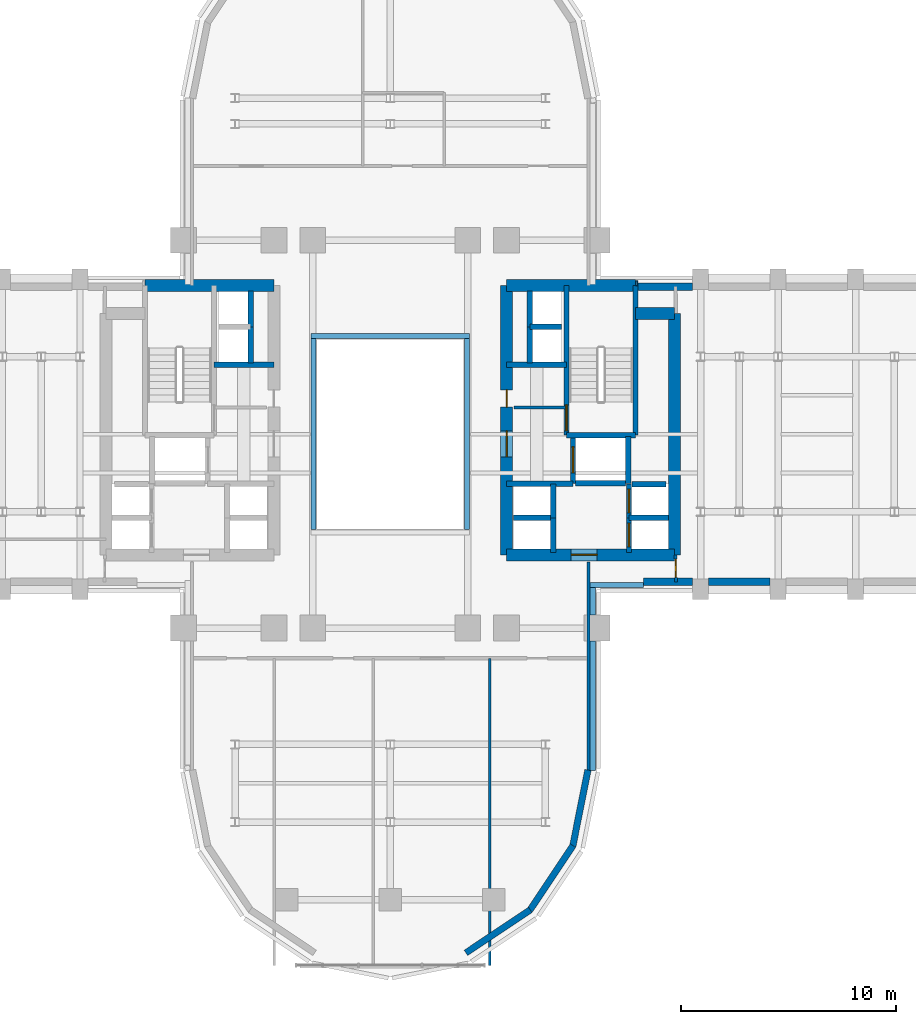
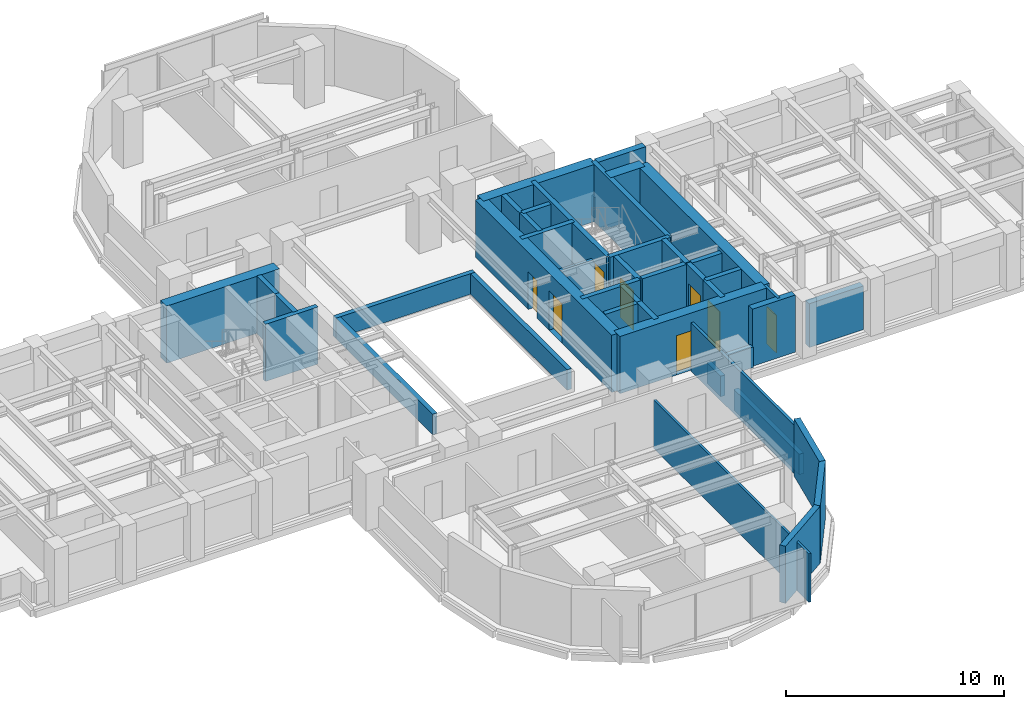
# One storey, part 11 of 16: 44 walls, 8 doors, 8 openings.
"""IFC4 building model written with IfcOpenShell, lengths in metres."""

import ifcopenshell
import ifcopenshell.guid

model = None  # the IFC model being written
_history = None  # IfcOwnerHistory: only IFC2X3 demands one
_inside = {}  # id of a spatial element -> (the spatial element, [elements in it])
_under = {}  # id of a project, library or spatial element -> (it, [spatial elements below it])
_declared = {}  # id of a project -> (the project, [libraries it declares])
_typed = {}  # id of a type object -> (the type object, [elements of that type])
_made_of = {}  # id of a material, layer set ... -> (it, [elements and type objects made of it])


def new_model(schema):
    """Start an empty IFC model of exactly this schema.

    Asked for "IFC4X3", IfcOpenShell would pick the latest addendum, in which some entities
    have other attributes; the version numbers below select the first issue.
    IFC2X3 requires an IfcOwnerHistory on every rooted entity: one is made here for all.
    """
    global model, _history
    if schema == "IFC4X3":
        model = ifcopenshell.file(schema_version=(4, 3, 0, 0))
    else:
        model = ifcopenshell.file(schema=schema)
    _inside.clear()
    _under.clear()
    _declared.clear()
    _typed.clear()
    _made_of.clear()
    _history = None
    if model.schema == "IFC2X3":
        org = make("IfcOrganization", Name="unknown")
        user = make(
            "IfcPersonAndOrganization",
            ThePerson=make("IfcPerson", FamilyName="unknown"),
            TheOrganization=org,
        )
        app = make(
            "IfcApplication",
            ApplicationDeveloper=org,
            Version="unknown",
            ApplicationFullName="unknown",
            ApplicationIdentifier="unknown",
        )
        _history = make(
            "IfcOwnerHistory",
            OwningUser=user,
            OwningApplication=app,
            ChangeAction="ADDED",
            CreationDate=0,
        )
    return model


def make(cls, **values):
    """One entity of the class cls with the attributes given. An attribute that is None is left unset."""
    return model.create_entity(
        cls, **{name: value for name, value in values.items() if value is not None}
    )


def rooted(cls, **values):
    """An entity with a GlobalId (a new one), such as an element, a storey or a relation."""
    return make(cls, GlobalId=ifcopenshell.guid.new(), OwnerHistory=_history, **values)


def si_unit(unit_type, name, prefix=None):
    """IfcSIUnit, for example si_unit("LENGTHUNIT", "METRE", prefix="MILLI")."""
    return make("IfcSIUnit", UnitType=unit_type, Prefix=prefix, Name=name)


def assignment(units):
    """IfcUnitAssignment: the units of a project."""
    return None if units is None else make("IfcUnitAssignment", Units=units)


def point(xyz):
    """IfcCartesianPoint."""
    return None if xyz is None else make("IfcCartesianPoint", Coordinates=xyz)


def direction(xyz):
    """IfcDirection."""
    return None if xyz is None else make("IfcDirection", DirectionRatios=xyz)


def frame(location, z_axis=None, x_axis=None):
    """IfcAxis2Placement3D, a coordinate frame: its origin and axes. An axis left out is left unset."""
    return make(
        "IfcAxis2Placement3D",
        Location=point(location),
        Axis=direction(z_axis),
        RefDirection=direction(x_axis),
    )


def frame_2d(location, x_axis=None):
    """IfcAxis2Placement2D, a coordinate frame in the plane: its origin and x axis."""
    return make(
        "IfcAxis2Placement2D", Location=point(location), RefDirection=direction(x_axis)
    )


def origin():
    """The frame at (0, 0, 0) with its axes left unset."""
    return frame((0.0, 0.0, 0.0))


def place(relative_to, where):
    """IfcLocalPlacement: puts the frame where relative to a parent placement (None: the world)."""
    return make(
        "IfcLocalPlacement", PlacementRelTo=relative_to, RelativePlacement=where
    )


def context(
    kind, dimensions, precision=None, world=None, true_north=None, identifier=None
):
    """IfcGeometricRepresentationContext, for example the 3D "Model" context."""
    return make(
        "IfcGeometricRepresentationContext",
        ContextIdentifier=identifier,
        ContextType=kind,
        CoordinateSpaceDimension=dimensions,
        Precision=precision,
        WorldCoordinateSystem=world,
        TrueNorth=true_north,
    )


def subcontext(parent, identifier, kind, view, scale=None):
    """IfcGeometricRepresentationSubContext, for example "Body" below "Model"."""
    return make(
        "IfcGeometricRepresentationSubContext",
        ContextIdentifier=identifier,
        ContextType=kind,
        ParentContext=parent,
        TargetScale=scale,
        TargetView=view,
    )


def project(units=None, contexts=None):
    """IfcProject with its units and contexts."""
    return rooted(
        "IfcProject",
        Name="project",
        RepresentationContexts=contexts,
        UnitsInContext=assignment(units),
    )


def spatial(cls, under=None, at=None, **own):
    """A site, building, storey or space (cls), placed at a placement, below another one or the project."""
    s = rooted(cls, ObjectPlacement=at, **own)
    if under is not None:
        _under.setdefault(under.id(), (under, []))[1].append(s)
    return s


def profile(cls, at=None, kind="AREA", **sizes):
    """A parametric profile (cls). Its sizes go by their IFC names, for example OverallWidth=200.0."""
    return make(cls, ProfileType=kind, Position=at, **sizes)


def rectangle(**sizes):
    """IfcRectangleProfileDef."""
    return profile("IfcRectangleProfileDef", **sizes)


def extrude(swept, where, along, depth):
    """IfcExtrudedAreaSolid: the profile swept, set in the frame where, extruded along a direction by depth."""
    return make(
        "IfcExtrudedAreaSolid",
        SweptArea=swept,
        Position=where,
        ExtrudedDirection=direction(along),
        Depth=depth,
    )


def shape(context_of_items, identifier, shape_type, items):
    """IfcShapeRepresentation: the items that make up one representation, for example the "Body"."""
    return make(
        "IfcShapeRepresentation",
        ContextOfItems=context_of_items,
        RepresentationIdentifier=identifier,
        RepresentationType=shape_type,
        Items=items,
    )


def source(mapping_origin, context_of_items, identifier, shape_type, items):
    """IfcRepresentationMap: a shape defined once, which mapped items show again and again."""
    return make(
        "IfcRepresentationMap",
        MappingOrigin=mapping_origin,
        MappedRepresentation=shape(context_of_items, identifier, shape_type, items),
    )


def transform(
    local_origin,
    x_axis=None,
    y_axis=None,
    z_axis=None,
    scale=None,
    scale2=None,
    scale3=None,
    uniform=True,
):
    """IfcCartesianTransformationOperator3D, or its non-uniform kind. x_axis, y_axis, z_axis: its Axis1, 2, 3."""
    if uniform:
        return make(
            "IfcCartesianTransformationOperator3D",
            Axis1=direction(x_axis),
            Axis2=direction(y_axis),
            LocalOrigin=point(local_origin),
            Scale=scale,
            Axis3=direction(z_axis),
        )
    return make(
        "IfcCartesianTransformationOperator3DnonUniform",
        Axis1=direction(x_axis),
        Axis2=direction(y_axis),
        LocalOrigin=point(local_origin),
        Scale=scale,
        Axis3=direction(z_axis),
        Scale2=scale2,
        Scale3=scale3,
    )


def mapped(mapping_source, mapping_target):
    """IfcMappedItem: shows the shape of a source again, moved by a transform."""
    return make(
        "IfcMappedItem", MappingSource=mapping_source, MappingTarget=mapping_target
    )


def material(Name=None, Category=None):
    """IfcMaterial."""
    return make("IfcMaterial", Name=Name, Category=Category)


def layer(
    of_material, thickness, ventilated=None, Name=None, Category=None, Priority=None
):
    """IfcMaterialLayer: one layer of a wall or slab, of a material (None: an air gap)."""
    return make(
        "IfcMaterialLayer",
        Material=of_material,
        LayerThickness=thickness,
        IsVentilated=ventilated,
        Name=Name,
        Category=Category,
        Priority=Priority,
    )


def layer_set(layers, Name=None):
    """IfcMaterialLayerSet."""
    return make("IfcMaterialLayerSet", MaterialLayers=layers, LayerSetName=Name)


def made_of(thing, what):
    """Note that an element or type object is made of a material, layer set ...; save() writes the relation."""
    if what is not None:
        _made_of.setdefault(what.id(), (what, []))[1].append(thing)
    return thing


def type_object(cls, material=None, **own):
    """A type object (cls), such as IfcWallType, which elements share."""
    return made_of(rooted(cls, **own), material)


def element(
    cls,
    number,
    at=None,
    inside=None,
    cuts=None,
    type_object=None,
    material=None,
    context=None,
    identifier="Body",
    shape_type=None,
    held_by="IfcProductDefinitionShape",
    body=None,
    shapes=None,
    **own,
):
    """One element of the class cls, such as IfcWall. Its Tag is "e" and its number.

    at: its placement. inside: the storey or other place that contains it. cuts: it is an
    opening in that element (IfcRelVoidsElement). A single representation is given by context,
    identifier, shape_type and body (its items); several are given by shapes. held_by: the class
    of the entity that holds the representations. save() writes the other relations.
    """
    e = rooted(cls, Tag="e%d" % number, ObjectPlacement=at, **own)
    if body is not None:
        shapes = [shape(context, identifier, shape_type, body)]
    if shapes is not None:
        e.Representation = make(held_by, Representations=shapes)
    if inside is not None:
        _inside.setdefault(inside.id(), (inside, []))[1].append(e)
    if cuts is not None:
        rooted(
            "IfcRelVoidsElement", RelatingBuildingElement=cuts, RelatedOpeningElement=e
        )
    if type_object is not None:
        _typed.setdefault(type_object.id(), (type_object, []))[1].append(e)
    return made_of(e, material)


def fill(opening, filler):
    """IfcRelFillsElement: the door or window that sits in an opening."""
    return rooted(
        "IfcRelFillsElement",
        RelatingOpeningElement=opening,
        RelatedBuildingElement=filler,
    )


def aggregate(whole, parts):
    """IfcRelAggregates: a whole, such as a stair, and the parts it consists of."""
    return rooted("IfcRelAggregates", RelatingObject=whole, RelatedObjects=parts)


def save(model, path):
    """Write the relations noted so far, then the file.

    IfcRelAggregates (storeys below a building ...), IfcRelContainedInSpatialStructure (elements
    in a storey), IfcRelDefinesByType, IfcRelAssociatesMaterial and IfcRelDeclares: one each for
    every whole, place, type object, material and project.
    """
    for whole, parts in _under.values():
        aggregate(whole, parts)
    for where, things in _inside.values():
        rooted(
            "IfcRelContainedInSpatialStructure",
            RelatedElements=things,
            RelatingStructure=where,
        )
    for kind, things in _typed.values():
        rooted("IfcRelDefinesByType", RelatedObjects=things, RelatingType=kind)
    for what, things in _made_of.values():
        rooted("IfcRelAssociatesMaterial", RelatedObjects=things, RelatingMaterial=what)
    for by, libraries in _declared.values():
        rooted("IfcRelDeclares", RelatingContext=by, RelatedDefinitions=libraries)
    model.write(path)


model = new_model("IFC4")

# Units and contexts
model_context = context("Model", 3, precision=1e-05, world=origin(), true_north=direction((0.0, 1.0)))
body_context = subcontext(model_context, "Body", "Model", "MODEL_VIEW")
ifc_project = project(units=[si_unit("LENGTHUNIT", "METRE"), si_unit("AREAUNIT", "SQUARE_METRE"), si_unit("VOLUMEUNIT", "CUBIC_METRE"), si_unit("PLANEANGLEUNIT", "RADIAN"), si_unit("MASSUNIT", "GRAM", prefix="KILO")], contexts=[model_context])

# Site, building, storey
site_placement = place(None, origin())
site = spatial("IfcSite", under=ifc_project, at=site_placement, CompositionType="ELEMENT")
building_placement = place(site_placement, origin())
building = spatial("IfcBuilding", under=site, at=building_placement, Name="Keilestroom Media Tower", CompositionType="ELEMENT")
storey_placement = place(building_placement, frame((0.0, 0.0, 74.800048828125)))
storey = spatial("IfcBuildingStorey", under=building, at=storey_placement, Name="L19", CompositionType="ELEMENT", Elevation=74.800048828125)

# Walls
ifc_material_1 = material(Name="Precast concrete C40/50", Category="concrete")
ifc_layer_1 = layer(ifc_material_1, 0.300048828125)
ifc_layer_set_1 = layer_set([ifc_layer_1], Name="Precast concrete C40/50")
wall_type_1 = type_object("IfcWallType", Name="Exterior-Masonry-Spandrel-Wall-300", PredefinedType="SOLIDWALL", material=ifc_layer_set_1)
wall_1_placement = place(storey_placement, frame((3.510009765625, -24.073486328125, 0.0), z_axis=(0.0, 0.0, 1.0), x_axis=(0.8314749531, 0.555562239868, 0.0)))
element("IfcWall", 1, at=wall_1_placement, inside=storey, type_object=wall_type_1, Name="L19 Lobe Facet Precast Frame Wall 10", PredefinedType="SOLIDWALL", context=body_context, shape_type="SweptSolid", body=[
    extrude(rectangle(XDim=3.59326171875, YDim=0.300048828125, at=frame_2d((1.796630859375, 0.0))), origin(), (0.0, 0.0, 1.0), 3.199951171875),
])
for number, where, z_axis, x_axis, name in (
    (2, (6.47705078125, -22.097900390625, 0.0), (0.0, 0.0, 1.0), (0.555574187116, 0.831466970246, 0.0), "L19 Lobe Facet Precast Frame Wall 11"),
    (3, (8.470703125, -19.12451171875, 0.0), (0.0, 0.0, 1.0), (0.195114232679, 0.980780523974, 0.0), "L19 Lobe Facet Precast Frame Wall 12"),
):
    element("IfcWall", number, at=place(storey_placement, frame(where, z_axis=z_axis, x_axis=x_axis)), inside=storey, type_object=wall_type_1, Name=name, PredefinedType="SOLIDWALL", context=body_context, shape_type="SweptSolid", body=[
        extrude(rectangle(XDim=3.608642578125, YDim=0.300048828125, at=frame_2d((1.80419921875, 0.0))), origin(), (0.0, 0.0, 1.0), 3.199951171875),
    ])
ifc_layer_2 = layer(ifc_material_1, 0.340087890625)
ifc_layer_set_2 = layer_set([ifc_layer_2], Name="Precast concrete C40/50")
wall_type_2 = type_object("IfcWallType", Name="Exterior-Masonry-Spandrel-Wall-340", PredefinedType="SOLIDWALL", material=ifc_layer_set_2)
wall_2_placement = place(storey_placement, frame((11.498046875, 6.85009765625, 0.0), z_axis=(0.0, 0.0, 1.0), x_axis=(1.0, 0.0, 0.0)))
element("IfcWall", 4, at=wall_2_placement, inside=storey, type_object=wall_type_2, Name="L19 Flank Masonry Wall EWL-L19-NE-1", PredefinedType="SOLIDWALL", context=body_context, shape_type="SweptSolid", body=[
    extrude(rectangle(XDim=2.534912109375, YDim=0.340087890625, at=frame_2d((1.267578125, 0.0))), origin(), (0.0, 0.0, 1.0), 3.199951171875),
])
wall_3_placement = place(storey_placement, frame((11.75, -6.85009765625, 0.0), z_axis=(0.0, 0.0, 1.0), x_axis=(1.0, 0.0, 0.0)))
element("IfcWall", 5, at=wall_3_placement, inside=storey, type_object=wall_type_2, Name="L19 Flank Masonry Wall EWL-L19-SE-1", PredefinedType="SOLIDWALL", context=body_context, shape_type="SweptSolid", body=[
    extrude(rectangle(XDim=2.282958984375, YDim=0.340087890625, at=frame_2d((1.1416015625, 0.0))), origin(), (0.0, 0.0, 1.0), 3.199951171875),
])
wall_4_placement = place(storey_placement, frame((14.76708984375, -6.85009765625, 0.0), z_axis=(0.0, 0.0, 1.0), x_axis=(1.0, 0.0, 0.0)))
element("IfcWall", 6, at=wall_4_placement, inside=storey, type_object=wall_type_2, Name="L19 Flank Masonry Wall EWL-L19-SE-2", PredefinedType="SOLIDWALL", context=body_context, shape_type="SweptSolid", body=[
    extrude(rectangle(XDim=2.865966796875, YDim=0.340087890625, at=frame_2d((1.43310546875, 0.0))), origin(), (0.0, 0.0, 1.0), 2.449951171875),
])
ifc_material_2 = material(Name="Gypsum Plasterboard & Steel Stud", Category="steel")
ifc_layer_3 = layer(ifc_material_2, 0.1201171875)
ifc_layer_set_3 = layer_set([ifc_layer_3], Name="Gypsum Plasterboard & Steel Stud")
wall_type_3 = type_object("IfcWallType", Name="Interior-Partition-Wall-120", PredefinedType="PARTITIONING", material=ifc_layer_set_3)
wall_5_placement = place(storey_placement, frame((4.6201171875, -24.64990234375, 0.0), z_axis=(0.0, 0.0, 1.0), x_axis=(0.0, 1.0, 0.0)))
element("IfcWall", 7, at=wall_5_placement, inside=storey, type_object=wall_type_3, Name="L19 Interior Wall WP-L19-SL-QV3", PredefinedType="PARTITIONING", context=body_context, shape_type="SweptSolid", body=[
    extrude(rectangle(XDim=14.25, YDim=0.1201171875, at=frame_2d((7.125, 0.0))), origin(), (0.0, 0.0, 1.0), 2.7099609375),
])
ifc_layer_4 = layer(ifc_material_2, 0.14990234375)
ifc_layer_set_4 = layer_set([ifc_layer_4], Name="Gypsum Plasterboard & Steel Stud")
wall_type_4 = type_object("IfcWallType", Name="Interior-Partition-Wall-150", PredefinedType="PARTITIONING", material=ifc_layer_set_4)
wall_6_placement = place(storey_placement, frame((5.75, 1.239990234375, 0.0), z_axis=(0.0, 0.0, 1.0), x_axis=(1.0, 0.0, 0.0)))
element("IfcWall", 8, at=wall_6_placement, inside=storey, type_object=wall_type_4, Name="L19 Interior Wall WP-L19-FFE-TOP", PredefinedType="PARTITIONING", context=body_context, shape_type="SweptSolid", body=[
    extrude(rectangle(XDim=2.389892578125, YDim=0.14990234375, at=frame_2d((1.19482421875, 0.0))), origin(), (0.0, 0.0, 1.0), 2.300048828125),
])
wall_7_placement = place(storey_placement, frame((9.199951171875, -15.679931640625, 0.0), z_axis=(0.0, 0.0, 1.0), x_axis=(0.0, 1.0, 0.0)))
element("IfcWall", 9, at=wall_7_placement, inside=storey, type_object=wall_type_4, Name="L19 Interior Wall WP-L19-SL-CHKE", PredefinedType="PARTITIONING", context=body_context, shape_type="SweptSolid", body=[
    extrude(rectangle(XDim=9.739990234375, YDim=0.14990234375, at=frame_2d((4.8701171875, 0.0))), origin(), (0.0, 0.0, 1.0), 2.7099609375),
])

# Wall, opening, door
wall_8_placement = place(storey_placement, frame((13.260009765625, -6.85009765625, 0.0), z_axis=(0.0, 0.0, 1.0), x_axis=(-0.016013571389, 0.999871774545, 0.0)))
wall_8 = element("IfcWall", 10, at=wall_8_placement, inside=storey, type_object=wall_type_4, Name="L19 Interior Wall WP-L19-EA-ENTS", PredefinedType="PARTITIONING", context=body_context, shape_type="SweptSolid", body=[
    extrude(rectangle(XDim=1.250244140625, YDim=0.14990234375, at=frame_2d((0.625, 0.0))), origin(), (0.0, 0.0, 1.0), 3.199951171875),
])
opening_1_placement = place(wall_8_placement, frame((0.199951171875, 0.0, 0.0)))
opening_1 = element("IfcOpeningElement", 11, at=opening_1_placement, cuts=wall_8, Name="Opening DI-05", PredefinedType="OPENING", context=body_context, shape_type="SweptSolid", body=[
    extrude(rectangle(XDim=0.85009765625, YDim=2.10009765625, at=frame_2d((0.425048828125, 1.050048828125))), frame((0.0, 0.0849609375, 0.0), z_axis=(0.0, -1.0, 0.0), x_axis=(1.0, 0.0, 0.0)), (0.0, 0.0, 1.0), 0.169921875),
])
ifc_material_3 = material(Name="Moisture-Resistant Oak Leaf", Category="wood")
door_type_1 = type_object("IfcDoorType", Name="Interior-En-Suite-And-Cupboard-Door-DI-05", OperationType="NOTDEFINED", PredefinedType="DOOR", material=ifc_material_3)
shared_shape_1 = source(origin(), body_context, "Body", "SweptSolid", [
    extrude(rectangle(XDim=0.85009765625, YDim=2.10009765625, at=frame_2d((0.425048828125, 1.050048828125))), frame((0.0, 0.02490234375, 0.0), z_axis=(0.0, -1.0, 0.0), x_axis=(1.0, 0.0, 0.0)), (0.0, 0.0, 1.0), 0.050048828125),
])
door_1_placement = place(opening_1_placement, origin())
door_1 = element("IfcDoor", 12, at=door_1_placement, inside=storey, type_object=door_type_1, Name="L19 Interior Door DI-L19-DEA-S", OperationType="SINGLE_SWING_RIGHT", OverallHeight=2.10009765625, OverallWidth=0.85009765625, PredefinedType="DOOR", context=body_context, shape_type="MappedRepresentation", body=[
    mapped(shared_shape_1, transform((0.0, 0.0, 0.0), x_axis=(1.0, 0.0, 0.0), y_axis=(0.0, 1.0, 0.0), z_axis=(0.0, 0.0, 1.0), scale=1.0)),
])
fill(opening_1, door_1)

# Walls
ifc_material_4 = material(Name="Concrete C70/85", Category="concrete")
ifc_layer_5 = layer(ifc_material_4, 0.550048828125)
ifc_layer_set_5 = layer_set([ifc_layer_5], Name="Concrete C70/85")
wall_type_5 = type_object("IfcWallType", Name="Reinforced-Concrete-Core-Shear-Wall-550", PredefinedType="SHEAR", material=ifc_layer_set_5)
wall_9_placement = place(storey_placement, frame((-11.381103515625, 6.89990234375, 0.0), z_axis=(0.0, 0.0, 1.0), x_axis=(1.0, 0.0, 0.0)))
element("IfcWall", 13, at=wall_9_placement, inside=storey, type_object=wall_type_5, Name="L19 Core Shear Wall WL-L19-CORE-W-N", PredefinedType="SHEAR", context=body_context, shape_type="SweptSolid", body=[
    extrude(rectangle(XDim=5.981201171875, YDim=0.550048828125, at=frame_2d((2.99072265625, 0.0))), origin(), (0.0, 0.0, 1.0), 3.199951171875),
])
wall_10_placement = place(storey_placement, frame((13.199951171875, -5.60009765625, 0.0), z_axis=(0.0, 0.0, 1.0), x_axis=(0.0, 1.0, 0.0)))
element("IfcWall", 14, at=wall_10_placement, inside=storey, type_object=wall_type_5, Name="L19 Core Shear Wall WL-L19-CORE-E-OUT", PredefinedType="SHEAR", context=body_context, shape_type="SweptSolid", body=[
    extrude(rectangle(XDim=11.2001953125, YDim=0.550048828125, at=frame_2d((5.60009765625, 0.0))), origin(), (0.0, 0.0, 1.0), 3.199951171875),
])

# Wall, openings, doors
wall_11_placement = place(storey_placement, frame((5.39990234375, -5.60009765625, 0.0), z_axis=(0.0, 0.0, 1.0), x_axis=(0.0, 1.0, 0.0)))
wall_11 = element("IfcWall", 15, at=wall_11_placement, inside=storey, type_object=wall_type_5, Name="L19 Core Shear Wall WL-L19-CORE-E-IN", PredefinedType="SHEAR", context=body_context, shape_type="SweptSolid", body=[
    extrude(rectangle(XDim=12.5, YDim=0.550048828125, at=frame_2d((6.25, 0.0))), origin(), (0.0, 0.0, 1.0), 3.199951171875),
])
opening_2_placement = place(wall_11_placement, frame((4.550048828125, 0.0, 0.0)))
opening_2 = element("IfcOpeningElement", 16, at=opening_2_placement, cuts=wall_11, Name="Opening DI-02", PredefinedType="OPENING", context=body_context, shape_type="SweptSolid", body=[
    extrude(rectangle(XDim=1.199951171875, YDim=2.199951171875, at=frame_2d((0.60009765625, 1.10009765625))), frame((0.0, 0.28515625, 0.0), z_axis=(0.0, -1.0, 0.0), x_axis=(1.0, 0.0, 0.0)), (0.0, 0.0, 1.0), 0.570068359375),
])
opening_3_placement = place(wall_11_placement, frame((6.860107421875, 0.0, 0.0)))
opening_3 = element("IfcOpeningElement", 17, at=opening_3_placement, cuts=wall_11, Name="Opening DI-06", PredefinedType="OPENING", context=body_context, shape_type="SweptSolid", body=[
    extrude(rectangle(XDim=0.800048828125, YDim=2.10009765625, at=frame_2d((0.39990234375, 1.050048828125))), frame((0.0, 0.28515625, 0.0), z_axis=(0.0, -1.0, 0.0), x_axis=(1.0, 0.0, 0.0)), (0.0, 0.0, 1.0), 0.570068359375),
])
ifc_material_5 = material(Name="Powder-Coated Steel Fire Leaf", Category="steel")
door_type_2 = type_object("IfcDoorType", Name="Interior-Compartment-Fire-Door-DI-02", OperationType="NOTDEFINED", PredefinedType="DOOR", material=ifc_material_5)
shared_shape_2 = source(origin(), body_context, "Body", "SweptSolid", [
    extrude(rectangle(XDim=1.199951171875, YDim=2.199951171875, at=frame_2d((0.60009765625, 1.10009765625))), frame((0.0, 0.02490234375, 0.0), z_axis=(0.0, -1.0, 0.0), x_axis=(1.0, 0.0, 0.0)), (0.0, 0.0, 1.0), 0.050048828125),
])
door_2_placement = place(opening_2_placement, origin())
door_2 = element("IfcDoor", 18, at=door_2_placement, inside=storey, type_object=door_type_2, Name="L19 E Firefighting Lobby Door", OperationType="SINGLE_SWING_LEFT", OverallHeight=2.199951171875, OverallWidth=1.199951171875, PredefinedType="DOOR", context=body_context, shape_type="MappedRepresentation", body=[
    mapped(shared_shape_2, transform((0.0, 0.0, 0.0), x_axis=(1.0, 0.0, 0.0), y_axis=(0.0, 1.0, 0.0), z_axis=(0.0, 0.0, 1.0), scale=1.0)),
])
fill(opening_2, door_2)
ifc_material_6 = material(Name="Powder-Coated Steel Service Leaf", Category="steel")
door_type_3 = type_object("IfcDoorType", Name="Interior-Riser-Access-Door-DI-06", OperationType="NOTDEFINED", PredefinedType="DOOR", material=ifc_material_6)
shared_shape_3 = source(origin(), body_context, "Body", "SweptSolid", [
    extrude(rectangle(XDim=0.800048828125, YDim=2.10009765625, at=frame_2d((0.39990234375, 1.050048828125))), frame((0.0, 0.02490234375, 0.0), z_axis=(0.0, -1.0, 0.0), x_axis=(1.0, 0.0, 0.0)), (0.0, 0.0, 1.0), 0.050048828125),
])
door_3_placement = place(opening_3_placement, origin())
door_3 = element("IfcDoor", 19, at=door_3_placement, inside=storey, type_object=door_type_3, Name="L19 East Core Telecom Door", OperationType="SINGLE_SWING_RIGHT", OverallHeight=2.10009765625, OverallWidth=0.800048828125, PredefinedType="DOOR", context=body_context, shape_type="MappedRepresentation", body=[
    mapped(shared_shape_3, transform((0.0, 0.0, 0.0), x_axis=(1.0, 0.0, 0.0), y_axis=(0.0, 1.0, 0.0), z_axis=(0.0, 0.0, 1.0), scale=1.0)),
])
fill(opening_3, door_3)

# Walls
wall_12_placement = place(storey_placement, frame((5.39990234375, 6.89990234375, 0.0), z_axis=(0.0, 0.0, 1.0), x_axis=(1.0, 0.0, 0.0)))
element("IfcWall", 20, at=wall_12_placement, inside=storey, type_object=wall_type_5, Name="L19 Core Shear Wall WL-L19-CORE-E-N", PredefinedType="SHEAR", context=body_context, shape_type="SweptSolid", body=[
    extrude(rectangle(XDim=5.981201171875, YDim=0.550048828125, at=frame_2d((2.99072265625, 0.0))), origin(), (0.0, 0.0, 1.0), 3.199951171875),
])
wall_13_placement = place(storey_placement, frame((11.381103515625, 5.60009765625, 0.0), z_axis=(0.0, 0.0, 1.0), x_axis=(1.0, 0.0, 0.0)))
element("IfcWall", 21, at=wall_13_placement, inside=storey, type_object=wall_type_5, Name="L19 Core Shear Wall WL-L19-CNE-N", PredefinedType="SHEAR", context=body_context, shape_type="SweptSolid", body=[
    extrude(rectangle(XDim=1.81884765625, YDim=0.550048828125, at=frame_2d((0.909423828125, 0.0))), origin(), (0.0, 0.0, 1.0), 3.199951171875),
])

# Wall, opening, door
wall_14_placement = place(storey_placement, frame((5.39990234375, -5.60009765625, 0.0), z_axis=(0.0, 0.0, 1.0), x_axis=(1.0, 0.0, 0.0)))
wall_14 = element("IfcWall", 22, at=wall_14_placement, inside=storey, type_object=wall_type_5, Name="L19 Core Shear Wall WL-L19-CORE-E-S", PredefinedType="SHEAR", context=body_context, shape_type="SweptSolid", body=[
    extrude(rectangle(XDim=7.800048828125, YDim=0.550048828125, at=frame_2d((3.89990234375, 0.0))), origin(), (0.0, 0.0, 1.0), 3.199951171875),
])
opening_4_placement = place(wall_14_placement, frame((3.0, 0.0, 0.0)))
opening_4 = element("IfcOpeningElement", 23, at=opening_4_placement, cuts=wall_14, Name="Opening DI-02", PredefinedType="OPENING", context=body_context, shape_type="SweptSolid", body=[
    extrude(rectangle(XDim=1.199951171875, YDim=2.199951171875, at=frame_2d((0.60009765625, 1.10009765625))), frame((0.0, 0.28515625, 0.0), z_axis=(0.0, -1.0, 0.0), x_axis=(1.0, 0.0, 0.0)), (0.0, 0.0, 1.0), 0.570068359375),
])
door_4_placement = place(opening_4_placement, origin())
door_4 = element("IfcDoor", 24, at=door_4_placement, inside=storey, type_object=door_type_2, Name="L19 E Passenger Lift Lobby Door", OperationType="SINGLE_SWING_RIGHT", OverallHeight=2.199951171875, OverallWidth=1.199951171875, PredefinedType="DOOR", context=body_context, shape_type="MappedRepresentation", body=[
    mapped(shared_shape_2, transform((0.0, 0.0, 0.0), x_axis=(1.0, 0.0, 0.0), y_axis=(0.0, 1.0, 0.0), z_axis=(0.0, 0.0, 1.0), scale=1.0)),
])
fill(opening_4, door_4)

# Walls
ifc_material_7 = material(Name="Concrete C50/60", Category="concrete")
ifc_layer_6 = layer(ifc_material_7, 0.25)
ifc_layer_set_6 = layer_set([ifc_layer_6], Name="Concrete C50/60")
wall_type_6 = type_object("IfcWallType", Name="Reinforced-Concrete-Shaft-Wall-250", PredefinedType="SOLIDWALL", material=ifc_layer_set_6)
for number, where, z_axis, x_axis, name in (
    (25, (-8.179931640625, 3.219970703125, 0.0), (0.0, 0.0, 1.0), (1.0, 0.0, 0.0), "L19 Core Shear Wall WL-L19-CORE-W-FFN"),
    (26, (5.39990234375, 3.219970703125, 0.0), (0.0, 0.0, 1.0), (1.0, 0.0, 0.0), "L19 Core Shear Wall WL-L19-CORE-E-FFN"),
):
    element("IfcWall", number, at=place(storey_placement, frame(where, z_axis=z_axis, x_axis=x_axis)), inside=storey, type_object=wall_type_6, Name=name, PredefinedType="SOLIDWALL", context=body_context, shape_type="SweptSolid", body=[
        extrude(rectangle(XDim=2.780029296875, YDim=0.25, at=frame_2d((1.39013671875, 0.0))), origin(), (0.0, 0.0, 1.0), 3.199951171875),
    ])
wall_15_placement = place(storey_placement, frame((5.39990234375, -2.300048828125, 0.0), z_axis=(0.0, 0.0, 1.0), x_axis=(1.0, 0.0, 0.0)))
element("IfcWall", 27, at=wall_15_placement, inside=storey, type_object=wall_type_6, Name="L19 Core Shear Wall WL-L19-CORE-E-FFS", PredefinedType="SOLIDWALL", context=body_context, shape_type="SweptSolid", body=[
    extrude(rectangle(XDim=3.080078125, YDim=0.25, at=frame_2d((1.5400390625, 0.0))), origin(), (0.0, 0.0, 1.0), 3.199951171875),
])

# Wall, opening, door
wall_16_placement = place(storey_placement, frame((8.178955078125, -0.041015625, 0.0), z_axis=(0.0, 0.0, 1.0), x_axis=(0.0, 1.0, 0.0)))
wall_16 = element("IfcWall", 28, at=wall_16_placement, inside=storey, type_object=wall_type_6, Name="L19 Core Shear Wall WL-L19-STW-E-NEAR", PredefinedType="SOLIDWALL", context=body_context, shape_type="SweptSolid", body=[
    extrude(rectangle(XDim=6.94091796875, YDim=0.25, at=frame_2d((3.470458984375, 0.0))), origin(), (0.0, 0.0, 1.0), 3.199951171875),
])
opening_5_placement = place(wall_16_placement, frame((0.199951171875, 0.0, 0.0)))
opening_5 = element("IfcOpeningElement", 29, at=opening_5_placement, cuts=wall_16, Name="Opening DI-01S", PredefinedType="OPENING", context=body_context, shape_type="SweptSolid", body=[
    extrude(rectangle(XDim=1.199951171875, YDim=2.199951171875, at=frame_2d((0.60009765625, 1.10009765625))), frame((0.0, 0.135009765625, 0.0), z_axis=(0.0, -1.0, 0.0), x_axis=(1.0, 0.0, 0.0)), (0.0, 0.0, 1.0), 0.27001953125),
])
door_type_4 = type_object("IfcDoorType", Name="Interior-Stair-And-Core-Fire-Door-DI-01", OperationType="NOTDEFINED", PredefinedType="DOOR", material=ifc_material_5)
door_5_placement = place(opening_5_placement, origin())
door_5 = element("IfcDoor", 30, at=door_5_placement, inside=storey, type_object=door_type_4, Name="L19 Escape Stair ST-2 Fire Door", OperationType="SINGLE_SWING_RIGHT", OverallHeight=2.199951171875, OverallWidth=1.199951171875, PredefinedType="DOOR", context=body_context, shape_type="MappedRepresentation", body=[
    mapped(shared_shape_2, transform((0.0, 0.0, 0.0), x_axis=(1.0, 0.0, 0.0), y_axis=(0.0, 1.0, 0.0), z_axis=(0.0, 0.0, 1.0), scale=1.0)),
])
fill(opening_5, door_5)

# Walls
wall_17_placement = place(storey_placement, frame((11.381103515625, -0.041015625, 0.0), z_axis=(0.0, 0.0, 1.0), x_axis=(0.0, 1.0, 0.0)))
element("IfcWall", 31, at=wall_17_placement, inside=storey, type_object=wall_type_6, Name="L19 Core Shear Wall WL-L19-STW-E-FAR", PredefinedType="SOLIDWALL", context=body_context, shape_type="SweptSolid", body=[
    extrude(rectangle(XDim=6.94091796875, YDim=0.25, at=frame_2d((3.470458984375, 0.0))), origin(), (0.0, 0.0, 1.0), 3.199951171875),
])
wall_18_placement = place(storey_placement, frame((8.178955078125, -0.041015625, 0.0), z_axis=(0.0, 0.0, 1.0), x_axis=(1.0, 0.0, 0.0)))
element("IfcWall", 32, at=wall_18_placement, inside=storey, type_object=wall_type_6, Name="L19 Core Shear Wall WL-L19-STW-E-S", PredefinedType="SOLIDWALL", context=body_context, shape_type="SweptSolid", body=[
    extrude(rectangle(XDim=3.2021484375, YDim=0.25, at=frame_2d((1.60107421875, 0.0))), origin(), (0.0, 0.0, 1.0), 3.199951171875),
])

# Wall, opening, door
wall_19_placement = place(storey_placement, frame((8.47998046875, -2.280029296875, 0.0), z_axis=(0.0, 0.0, 1.0), x_axis=(0.0, 1.0, 0.0)))
wall_19 = element("IfcWall", 33, at=wall_19_placement, inside=storey, type_object=wall_type_6, Name="L19 Core Shear Wall WL-L19-LSH-FFL-2-W", PredefinedType="SOLIDWALL", context=body_context, shape_type="SweptSolid", body=[
    extrude(rectangle(XDim=2.179931640625, YDim=0.25, at=frame_2d((1.08984375, 0.0))), origin(), (0.0, 0.0, 1.0), 3.199951171875),
])
opening_6_placement = place(wall_19_placement, frame((0.489990234375, 0.0, 0.0)))
opening_6 = element("IfcOpeningElement", 34, at=opening_6_placement, cuts=wall_19, Name="Opening LD-02", PredefinedType="OPENING", context=body_context, shape_type="SweptSolid", body=[
    extrude(rectangle(XDim=1.199951171875, YDim=2.199951171875, at=frame_2d((0.60009765625, 1.10009765625))), frame((0.0, 0.135009765625, 0.0), z_axis=(0.0, -1.0, 0.0), x_axis=(1.0, 0.0, 0.0)), (0.0, 0.0, 1.0), 0.27001953125),
])
ifc_material_8 = material(Name="Brushed Stainless Steel Sliding Leaf", Category="steel")
door_type_5 = type_object("IfcDoorType", Name="Lift-Landing-Sliding-Door-LD-02", OperationType="SLIDING_TO_RIGHT", PredefinedType="DOOR", material=ifc_material_8)
door_6_placement = place(opening_6_placement, origin())
door_6 = element("IfcDoor", 35, at=door_6_placement, inside=storey, type_object=door_type_5, Name="L19 Lift FFL-2 Landing Sliding Door", OperationType="SLIDING_TO_RIGHT", OverallHeight=2.199951171875, OverallWidth=1.199951171875, PredefinedType="DOOR", context=body_context, shape_type="MappedRepresentation", body=[
    mapped(shared_shape_2, transform((0.0, 0.0, 0.0), x_axis=(1.0, 0.0, 0.0), y_axis=(0.0, 1.0, 0.0), z_axis=(0.0, 0.0, 1.0), scale=1.0)),
])
fill(opening_6, door_6)

# Walls
wall_20_placement = place(storey_placement, frame((11.050048828125, -2.280029296875, 0.0), z_axis=(0.0, 0.0, 1.0), x_axis=(0.0, 1.0, 0.0)))
element("IfcWall", 36, at=wall_20_placement, inside=storey, type_object=wall_type_6, Name="L19 Core Shear Wall WL-L19-LSH-FFL-2-E", PredefinedType="SOLIDWALL", context=body_context, shape_type="SweptSolid", body=[
    extrude(rectangle(XDim=2.179931640625, YDim=0.25, at=frame_2d((1.08984375, 0.0))), origin(), (0.0, 0.0, 1.0), 3.199951171875),
])
wall_21_placement = place(storey_placement, frame((8.60888671875, -2.280029296875, 0.0), z_axis=(0.0, 0.0, 1.0), x_axis=(1.0, 0.0, 0.0)))
element("IfcWall", 37, at=wall_21_placement, inside=storey, type_object=wall_type_6, Name="L19 Core Shear Wall WL-L19-LSH-FFL-2-S", PredefinedType="SOLIDWALL", context=body_context, shape_type="SweptSolid", body=[
    extrude(rectangle(XDim=2.31201171875, YDim=0.25, at=frame_2d((1.156005859375, 0.0))), origin(), (0.0, 0.0, 1.0), 3.199951171875),
])

# Wall, opening, door
wall_22_placement = place(storey_placement, frame((11.080078125, -5.47998046875, 0.0), z_axis=(0.0, 0.0, 1.0), x_axis=(0.0, 1.0, 0.0)))
wall_22 = element("IfcWall", 38, at=wall_22_placement, inside=storey, type_object=wall_type_6, Name="L19 Core Shear Wall WL-L19-LSH-PL-L3-W", PredefinedType="SOLIDWALL", context=body_context, shape_type="SweptSolid", body=[
    extrude(rectangle(XDim=1.60009765625, YDim=0.25, at=frame_2d((0.800048828125, 0.0))), origin(), (0.0, 0.0, 1.0), 3.199951171875),
])
opening_7_placement = place(wall_22_placement, frame((0.25, 0.0, 0.0)))
opening_7 = element("IfcOpeningElement", 39, at=opening_7_placement, cuts=wall_22, Name="Opening LD-01", PredefinedType="OPENING", context=body_context, shape_type="SweptSolid", body=[
    extrude(rectangle(XDim=1.10009765625, YDim=2.199951171875, at=frame_2d((0.550048828125, 1.10009765625))), frame((0.0, 0.135009765625, 0.0), z_axis=(0.0, -1.0, 0.0), x_axis=(1.0, 0.0, 0.0)), (0.0, 0.0, 1.0), 0.27001953125),
])
door_type_6 = type_object("IfcDoorType", Name="Lift-Landing-Sliding-Door-LD-01", OperationType="SLIDING_TO_LEFT", PredefinedType="DOOR", material=ifc_material_8)
shared_shape_4 = source(origin(), body_context, "Body", "SweptSolid", [
    extrude(rectangle(XDim=1.10009765625, YDim=2.199951171875, at=frame_2d((0.550048828125, 1.10009765625))), frame((0.0, 0.02490234375, 0.0), z_axis=(0.0, -1.0, 0.0), x_axis=(1.0, 0.0, 0.0)), (0.0, 0.0, 1.0), 0.050048828125),
])
door_7_placement = place(opening_7_placement, origin())
door_7 = element("IfcDoor", 40, at=door_7_placement, inside=storey, type_object=door_type_6, Name="L19 Lift PL-L3 Landing Sliding Door", OperationType="SLIDING_TO_LEFT", OverallHeight=2.199951171875, OverallWidth=1.10009765625, PredefinedType="DOOR", context=body_context, shape_type="MappedRepresentation", body=[
    mapped(shared_shape_4, transform((0.0, 0.0, 0.0), x_axis=(1.0, 0.0, 0.0), y_axis=(0.0, 1.0, 0.0), z_axis=(0.0, 0.0, 1.0), scale=1.0)),
])
fill(opening_7, door_7)

# Wall
wall_23_placement = place(storey_placement, frame((11.080078125, -3.8798828125, 0.0), z_axis=(0.0, 0.0, 1.0), x_axis=(1.0, 0.0, 0.0)))
element("IfcWall", 41, at=wall_23_placement, inside=storey, type_object=wall_type_6, Name="L19 Core Shear Wall WL-L19-LSH-PL-L3-N", PredefinedType="SOLIDWALL", context=body_context, shape_type="SweptSolid", body=[
    extrude(rectangle(XDim=1.83984375, YDim=0.25, at=frame_2d((0.919921875, 0.0))), origin(), (0.0, 0.0, 1.0), 3.199951171875),
])

# Wall, opening, door
wall_24_placement = place(storey_placement, frame((11.080078125, -3.8798828125, 0.0), z_axis=(0.0, 0.0, 1.0), x_axis=(0.0, 1.0, 0.0)))
wall_24 = element("IfcWall", 42, at=wall_24_placement, inside=storey, type_object=wall_type_6, Name="L19 Core Shear Wall WL-L19-LSH-PL-L4-W", PredefinedType="SOLIDWALL", context=body_context, shape_type="SweptSolid", body=[
    extrude(rectangle(XDim=1.559814453125, YDim=0.25, at=frame_2d((0.77978515625, 0.0))), origin(), (0.0, 0.0, 1.0), 3.199951171875),
])
opening_8_placement = place(wall_24_placement, frame((0.22998046875, 0.0, 0.0)))
opening_8 = element("IfcOpeningElement", 43, at=opening_8_placement, cuts=wall_24, Name="Opening LD-01", PredefinedType="OPENING", context=body_context, shape_type="SweptSolid", body=[
    extrude(rectangle(XDim=1.10009765625, YDim=2.199951171875, at=frame_2d((0.550048828125, 1.10009765625))), frame((0.0, 0.135009765625, 0.0), z_axis=(0.0, -1.0, 0.0), x_axis=(1.0, 0.0, 0.0)), (0.0, 0.0, 1.0), 0.27001953125),
])
door_8_placement = place(opening_8_placement, origin())
door_8 = element("IfcDoor", 44, at=door_8_placement, inside=storey, type_object=door_type_6, Name="L19 Lift PL-L4 Landing Sliding Door", OperationType="SLIDING_TO_LEFT", OverallHeight=2.199951171875, OverallWidth=1.10009765625, PredefinedType="DOOR", context=body_context, shape_type="MappedRepresentation", body=[
    mapped(shared_shape_4, transform((0.0, 0.0, 0.0), x_axis=(1.0, 0.0, 0.0), y_axis=(0.0, 1.0, 0.0), z_axis=(0.0, 0.0, 1.0), scale=1.0)),
])
fill(opening_8, door_8)

# Walls
wall_25_placement = place(storey_placement, frame((11.208984375, -2.320068359375, 0.0), z_axis=(0.0, 0.0, 1.0), x_axis=(1.0, 0.0, 0.0)))
element("IfcWall", 45, at=wall_25_placement, inside=storey, type_object=wall_type_6, Name="L19 Core Shear Wall WL-L19-LSH-PL-L4-N", PredefinedType="SOLIDWALL", context=body_context, shape_type="SweptSolid", body=[
    extrude(rectangle(XDim=1.58203125, YDim=0.25, at=frame_2d((0.791015625, 0.0))), origin(), (0.0, 0.0, 1.0), 3.199951171875),
])
wall_26_placement = place(storey_placement, frame((7.56005859375, -5.47998046875, 0.0), z_axis=(0.0, 0.0, 1.0), x_axis=(0.0, 1.0, 0.0)))
element("IfcWall", 46, at=wall_26_placement, inside=storey, type_object=wall_type_6, Name="L19 Core Shear Wall WL-L19-LSH-PL-M3-E", PredefinedType="SOLIDWALL", context=body_context, shape_type="SweptSolid", body=[
    extrude(rectangle(XDim=1.60009765625, YDim=0.25, at=frame_2d((0.800048828125, 0.0))), origin(), (0.0, 0.0, 1.0), 3.199951171875),
])
wall_27_placement = place(storey_placement, frame((5.719970703125, -3.8798828125, 0.0), z_axis=(0.0, 0.0, 1.0), x_axis=(1.0, 0.0, 0.0)))
element("IfcWall", 47, at=wall_27_placement, inside=storey, type_object=wall_type_6, Name="L19 Core Shear Wall WL-L19-LSH-PL-M3-N", PredefinedType="SOLIDWALL", context=body_context, shape_type="SweptSolid", body=[
    extrude(rectangle(XDim=1.840087890625, YDim=0.25, at=frame_2d((0.919921875, 0.0))), origin(), (0.0, 0.0, 1.0), 3.199951171875),
])
wall_28_placement = place(storey_placement, frame((7.56005859375, -3.8798828125, 0.0), z_axis=(0.0, 0.0, 1.0), x_axis=(0.0, 1.0, 0.0)))
element("IfcWall", 48, at=wall_28_placement, inside=storey, type_object=wall_type_6, Name="L19 Core Shear Wall WL-L19-LSH-PL-M4-E", PredefinedType="SOLIDWALL", context=body_context, shape_type="SweptSolid", body=[
    extrude(rectangle(XDim=1.559814453125, YDim=0.25, at=frame_2d((0.77978515625, 0.0))), origin(), (0.0, 0.0, 1.0), 3.199951171875),
])
wall_29_placement = place(storey_placement, frame((-6.47998046875, 3.300048828125, 0.0), z_axis=(0.0, 0.0, 1.0), x_axis=(0.0, 1.0, 0.0)))
element("IfcWall", 49, at=wall_29_placement, inside=storey, type_object=wall_type_6, Name="L19 Core Shear Wall WL-L19-LSH-PL-H1-E", PredefinedType="SOLIDWALL", context=body_context, shape_type="SweptSolid", body=[
    extrude(rectangle(XDim=1.679931640625, YDim=0.25, at=frame_2d((0.83984375, 0.0))), origin(), (0.0, 0.0, 1.0), 3.199951171875),
])
wall_30_placement = place(storey_placement, frame((-6.47998046875, 4.97998046875, 0.0), z_axis=(0.0, 0.0, 1.0), x_axis=(0.0, 1.0, 0.0)))
element("IfcWall", 50, at=wall_30_placement, inside=storey, type_object=wall_type_6, Name="L19 Core Shear Wall WL-L19-LSH-PL-H2-E", PredefinedType="SOLIDWALL", context=body_context, shape_type="SweptSolid", body=[
    extrude(rectangle(XDim=1.669921875, YDim=0.25, at=frame_2d((0.8349609375, 0.0))), origin(), (0.0, 0.0, 1.0), 3.199951171875),
])
wall_31_placement = place(storey_placement, frame((6.47998046875, 3.300048828125, 0.0), z_axis=(0.0, 0.0, 1.0), x_axis=(0.0, 1.0, 0.0)))
element("IfcWall", 51, at=wall_31_placement, inside=storey, type_object=wall_type_6, Name="L19 Core Shear Wall WL-L19-LSH-PL-H3-W", PredefinedType="SOLIDWALL", context=body_context, shape_type="SweptSolid", body=[
    extrude(rectangle(XDim=1.679931640625, YDim=0.25, at=frame_2d((0.83984375, 0.0))), origin(), (0.0, 0.0, 1.0), 3.199951171875),
])
wall_32_placement = place(storey_placement, frame((6.47998046875, 4.97998046875, 0.0), z_axis=(0.0, 0.0, 1.0), x_axis=(1.0, 0.0, 0.0)))
element("IfcWall", 52, at=wall_32_placement, inside=storey, type_object=wall_type_6, Name="L19 Core Shear Wall WL-L19-LSH-PL-H3-N", PredefinedType="SOLIDWALL", context=body_context, shape_type="SweptSolid", body=[
    extrude(rectangle(XDim=1.469970703125, YDim=0.25, at=frame_2d((0.73486328125, 0.0))), origin(), (0.0, 0.0, 1.0), 3.199951171875),
])
wall_33_placement = place(storey_placement, frame((6.47998046875, 4.97998046875, 0.0), z_axis=(0.0, 0.0, 1.0), x_axis=(0.0, 1.0, 0.0)))
element("IfcWall", 53, at=wall_33_placement, inside=storey, type_object=wall_type_6, Name="L19 Core Shear Wall WL-L19-LSH-PL-H4-W", PredefinedType="SOLIDWALL", context=body_context, shape_type="SweptSolid", body=[
    extrude(rectangle(XDim=1.669921875, YDim=0.25, at=frame_2d((0.8349609375, 0.0))), origin(), (0.0, 0.0, 1.0), 3.199951171875),
])
ifc_layer_7 = layer(ifc_material_1, 0.239990234375)
ifc_layer_set_7 = layer_set([ifc_layer_7], Name="Precast concrete C40/50")
wall_type_7 = type_object("IfcWallType", Name="Roof-And-Terrace-Parapet-Wall-240", PredefinedType="PARAPET", material=ifc_layer_set_7)
wall_34_placement = place(storey_placement, frame((11.7470703125, -7.0, 0.0), z_axis=(0.0, 0.0, 1.0), x_axis=(-1.0, 0.0, 0.0)))
element("IfcWall", 54, at=wall_34_placement, inside=storey, type_object=wall_type_7, Name="L19 Perimeter Edge Parapet Wall 06", PredefinedType="PARAPET", context=body_context, shape_type="SweptSolid", body=[
    extrude(rectangle(XDim=2.468994140625, YDim=0.239990234375, at=frame_2d((1.234375, 0.0))), origin(), (0.0, 0.0, 1.0), 1.14990234375),
])
wall_35_placement = place(storey_placement, frame((9.39990234375, -7.123046875, 0.0), z_axis=(0.0, 0.0, 1.0), x_axis=(0.0, -1.0, 0.0)))
element("IfcWall", 55, at=wall_35_placement, inside=storey, type_object=wall_type_7, Name="L19 Perimeter Edge Parapet Wall 07", PredefinedType="PARAPET", context=body_context, shape_type="SweptSolid", body=[
    extrude(rectangle(XDim=1.27392578125, YDim=0.239990234375, at=frame_2d((0.636962890625, 0.0))), origin(), (0.0, 0.0, 1.0), 1.14990234375),
])
wall_36_placement = place(storey_placement, frame((9.39990234375, -9.60302734375, 0.0), z_axis=(0.0, 0.0, 1.0), x_axis=(0.0, -1.0, 0.0)))
element("IfcWall", 56, at=wall_36_placement, inside=storey, type_object=wall_type_7, Name="L19 Perimeter Edge Parapet Wall 08", PredefinedType="PARAPET", context=body_context, shape_type="SweptSolid", body=[
    extrude(rectangle(XDim=5.999755859375, YDim=0.239990234375, at=frame_2d((3.0, 0.0))), origin(), (0.0, 0.0, 1.0), 1.14990234375),
])
wall_37_placement = place(storey_placement, frame((11.403076171875, 7.0, 0.0), z_axis=(0.0, 0.0, 1.0), x_axis=(1.0, 0.0, 0.0)))
element("IfcWall", 57, at=wall_37_placement, inside=storey, type_object=wall_type_7, Name="L19 Perimeter Edge Parapet Wall 31", PredefinedType="PARAPET", context=body_context, shape_type="SweptSolid", body=[
    extrude(rectangle(XDim=0.092041015625, YDim=0.239990234375, at=frame_2d((0.0458984375, 0.0))), origin(), (0.0, 0.0, 1.0), 1.14990234375),
])
wall_38_placement = place(storey_placement, frame((-3.679931640625, 4.56005859375, 0.0), z_axis=(0.0, 0.0, 1.0), x_axis=(1.0, 0.0, 0.0)))
element("IfcWall", 58, at=wall_38_placement, inside=storey, type_object=wall_type_7, Name="L19 Central Atrium Guard Parapet N", PredefinedType="PARAPET", context=body_context, shape_type="SweptSolid", body=[
    extrude(rectangle(XDim=7.35986328125, YDim=0.239990234375, at=frame_2d((3.679931640625, 0.0))), origin(), (0.0, 0.0, 1.0), 1.14990234375),
])
for number, where, z_axis, x_axis, name in (
    (59, (-3.56005859375, -4.43505859375, 0.0), (0.0, 0.0, 1.0), (0.0, 1.0, 0.0), "L19 Central Atrium Guard Parapet W"),
    (60, (3.56005859375, -4.43505859375, 0.0), (0.0, 0.0, 1.0), (0.0, 1.0, 0.0), "L19 Central Atrium Guard Parapet E"),
):
    element("IfcWall", number, at=place(storey_placement, frame(where, z_axis=z_axis, x_axis=x_axis)), inside=storey, type_object=wall_type_7, Name=name, PredefinedType="PARAPET", context=body_context, shape_type="SweptSolid", body=[
        extrude(rectangle(XDim=8.8701171875, YDim=0.239990234375, at=frame_2d((4.43505859375, 0.0))), origin(), (0.0, 0.0, 1.0), 1.14990234375),
    ])

save(model, "model.ifc")
